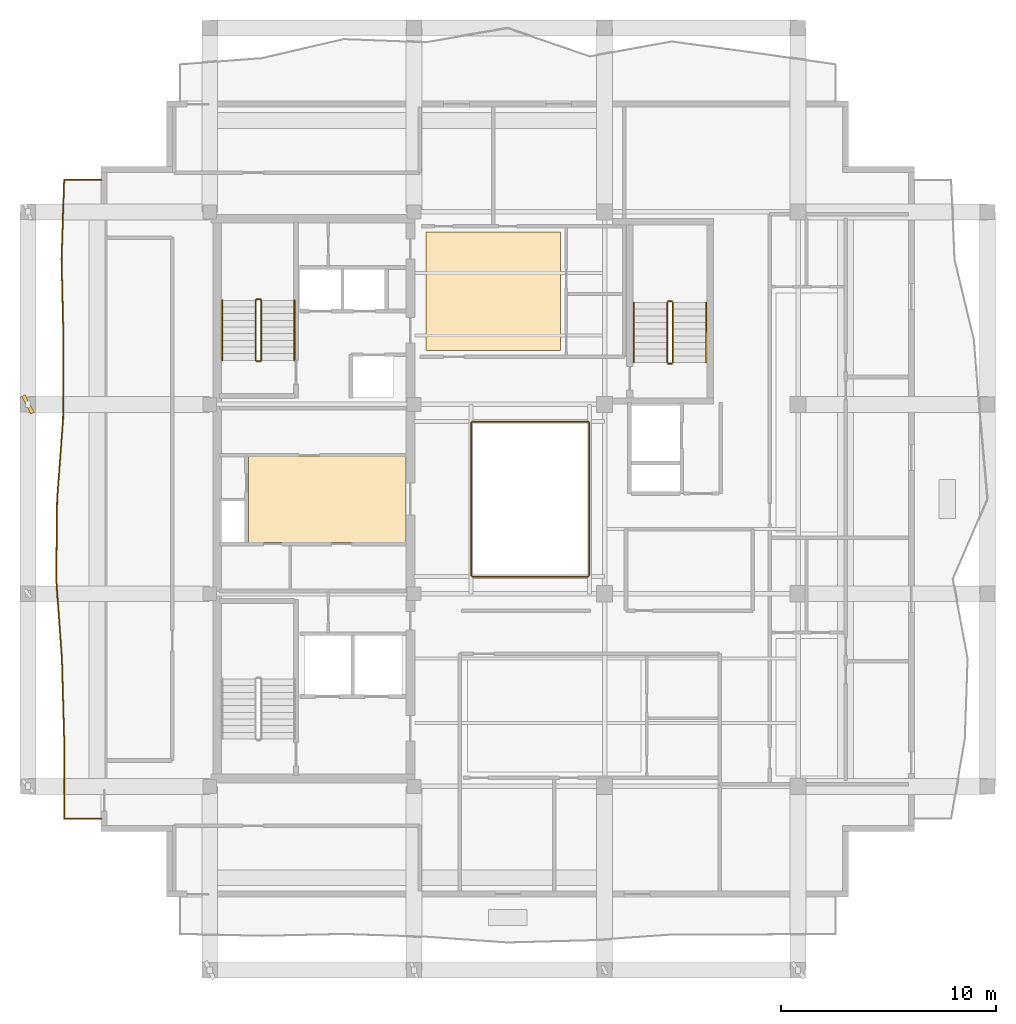
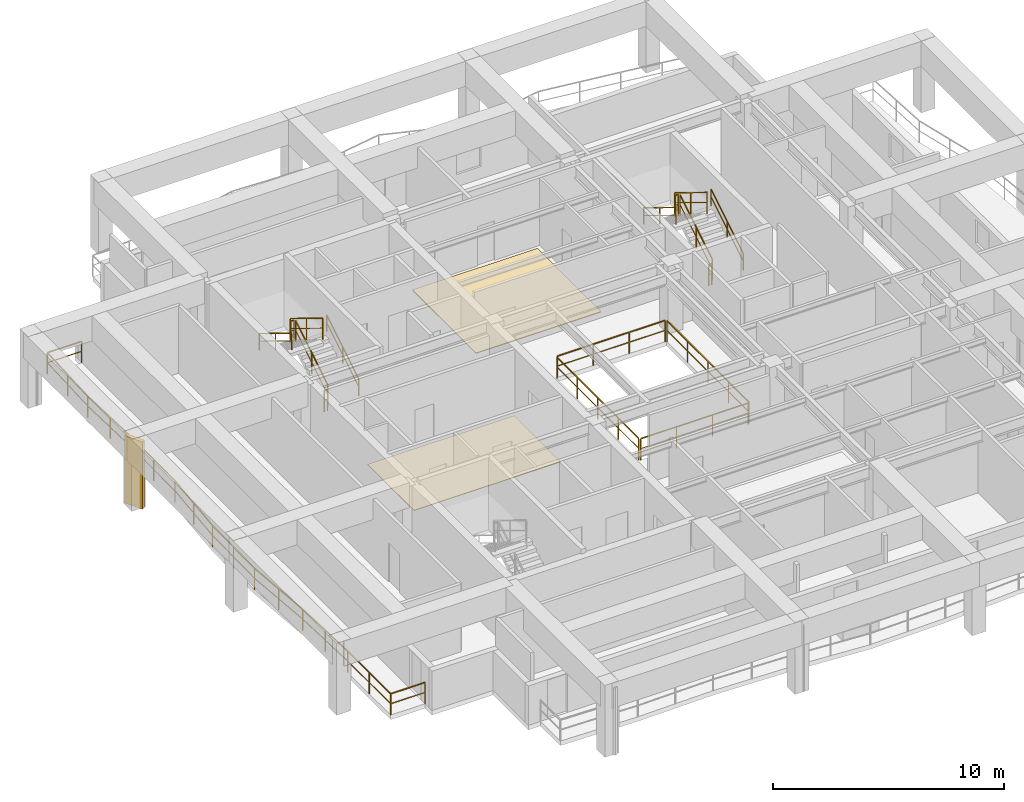
# One storey, part 8 of 10: 17 railings, 2 coverings, 1 shading device.
"""IFC4 building model written with IfcOpenShell, lengths in metres."""

from ifc_helpers import new_model, si_unit, direction, frame, origin, origin_2d, place, context, subcontext, project, spatial, polyline, rectangle, outline, extrude, material, layer, layer_set, type_object, element, save


model = new_model("IFC4")

# Units and contexts
model_context = context("Model", 3, precision=1e-05, world=origin(), true_north=direction((0.0, 1.0)))
body_context = subcontext(model_context, "Body", "Model", "MODEL_VIEW")
ifc_project = project(units=[si_unit("LENGTHUNIT", "METRE"), si_unit("AREAUNIT", "SQUARE_METRE"), si_unit("VOLUMEUNIT", "CUBIC_METRE"), si_unit("PLANEANGLEUNIT", "RADIAN"), si_unit("MASSUNIT", "GRAM", prefix="KILO")], contexts=[model_context])

# Site, building, storey
site_placement = place(None, origin())
site = spatial("IfcSite", under=ifc_project, at=site_placement, CompositionType="ELEMENT")
building_placement = place(site_placement, origin())
building = spatial("IfcBuilding", under=site, at=building_placement, Name="Kundavana Baori Tower", CompositionType="ELEMENT")
storey_placement = place(building_placement, frame((0.0, 0.0, 323.89990234375)))
storey = spatial("IfcBuildingStorey", under=building, at=storey_placement, Name="L80", CompositionType="ELEMENT", Elevation=323.89990234375)

# Coverings
ifc_material_1 = material(Name="Honed Kota Stone and Terrazzo Flooring", Category="masonry")
ifc_layer_1 = layer(ifc_material_1, 0.0400390625, Name="COV-FLR-TERR-40")
ifc_layer_set_1 = layer_set([ifc_layer_1], Name="Honed Kota Stone and Terrazzo Flooring")
covering_type_1 = type_object("IfcCoveringType", Name="COV-FLR-TERR-40", PredefinedType="FLOORING", material=ifc_layer_set_1)
covering_1_placement = place(storey_placement, origin())
element("IfcCovering", 1, at=covering_1_placement, inside=storey, type_object=covering_type_1, Name="L80 Room Finished Stone Flooring 2", PredefinedType="FLOORING", context=body_context, shape_type="SweptSolid", body=[
    extrude(outline(polyline([(25.5, 35.5), (31.75, 35.5), (31.75, 41.010009765625), (25.5, 41.010009765625), (25.5, 35.5)])), origin(), (0.0, 0.0, 1.0), 0.0400390625),
])
ifc_material_2 = material(Name="Honed Kota Stone and Terrazzo Flooring", Category="masonry")
ifc_layer_2 = layer(ifc_material_2, 0.030029296875, Name="COV-INT-FLR")
ifc_layer_set_2 = layer_set([ifc_layer_2], Name="Honed Kota Stone and Terrazzo Flooring")
covering_type_2 = type_object("IfcCoveringType", Name="COV-INT-FLR", PredefinedType="FLOORING", material=ifc_layer_set_2)
covering_2_placement = place(storey_placement, origin())
element("IfcCovering", 2, at=covering_2_placement, inside=storey, type_object=covering_type_2, Name="L80 Core Lift Lobby Kota Stone Flooring", PredefinedType="FLOORING", context=body_context, shape_type="SweptSolid", body=[
    extrude(outline(polyline([(17.25, 26.580078125), (24.580078125, 26.580078125), (24.580078125, 30.60009765625), (17.25, 30.60009765625), (17.25, 26.580078125)])), origin(), (0.0, 0.0, 1.0), 0.030029296875),
])

# Railings
ifc_material_3 = material(Name="Architectural Patinated Bronze Metalwork")
railing_type_1 = type_object("IfcRailingType", Name="RL-BAL-1150", PredefinedType="BALUSTRADE", material=ifc_material_3)
railing_1_placement = place(storey_placement, frame((10.39990234375, 13.75, 0.0)))
element("IfcRailing", 3, at=railing_1_placement, inside=storey, type_object=railing_type_1, Name="L80 Loggia Balcony Balustrade W", PredefinedType="BALUSTRADE", context=body_context, shape_type="SweptSolid", body=[
    extrude(rectangle(XDim=0.048095703125, YDim=0.048095703125, at=origin_2d()), frame((0.0, 0.0, 1.1259765625), z_axis=(-1.0, 0.0, 0.0), x_axis=(0.0, -1.0, 0.0)), (0.0, 0.0, 1.0), 1.719970703125),
    extrude(rectangle(XDim=0.03125, YDim=0.03125, at=origin_2d()), frame((0.0, 0.0, 0.597900390625), z_axis=(-1.0, 0.0, 0.0), x_axis=(0.0, -1.0, 0.0)), (0.0, 0.0, 1.0), 1.719970703125),
    extrude(rectangle(XDim=0.048095703125, YDim=0.048095703125, at=origin_2d()), frame((-1.719970703125, 0.0, 1.1259765625), z_axis=(-0.000263088652, 0.999999965392, 0.0), x_axis=(-0.999999965392, -0.000263088652, 0.0)), (0.0, 0.0, 1.0), 3.7119140625),
    extrude(rectangle(XDim=0.03125, YDim=0.03125, at=origin_2d()), frame((-1.719970703125, 0.0, 0.597900390625), z_axis=(-0.000263088652, 0.999999965392, 0.0), x_axis=(-0.999999965392, -0.000263088652, 0.0)), (0.0, 0.0, 1.0), 3.7119140625),
    extrude(rectangle(XDim=0.048095703125, YDim=0.048095703125, at=origin_2d()), frame((-1.720947265625, 3.7119140625, 1.1259765625), z_axis=(-0.027998750093, 0.999607958148, 0.0), x_axis=(-0.999607958148, -0.027998750093, 0.0)), (0.0, 0.0, 1.0), 3.714599609375),
    extrude(rectangle(XDim=0.03125, YDim=0.03125, at=origin_2d()), frame((-1.720947265625, 3.7119140625, 0.597900390625), z_axis=(-0.027998750093, 0.999607958148, 0.0), x_axis=(-0.999607958148, -0.027998750093, 0.0)), (0.0, 0.0, 1.0), 3.714599609375),
    extrude(rectangle(XDim=0.048095703125, YDim=0.048095703125, at=origin_2d()), frame((-1.824951171875, 7.425048828125, 1.1259765625), z_axis=(-0.070902118841, 0.997483277827, 0.0), x_axis=(-0.997483277827, -0.070902118841, 0.0)), (0.0, 0.0, 1.0), 3.72216796875),
    extrude(rectangle(XDim=0.03125, YDim=0.03125, at=origin_2d()), frame((-1.824951171875, 7.425048828125, 0.597900390625), z_axis=(-0.070902118841, 0.997483277827, 0.0), x_axis=(-0.997483277827, -0.070902118841, 0.0)), (0.0, 0.0, 1.0), 3.72216796875),
    extrude(rectangle(XDim=0.048095703125, YDim=0.048095703125, at=origin_2d()), frame((-2.0888671875, 11.137939453125, 1.1259765625), z_axis=(0.01104832267, 0.99993896542, 0.0), x_axis=(-0.99993896542, 0.01104832267, 0.0)), (0.0, 0.0, 1.0), 3.71240234375),
    extrude(rectangle(XDim=0.03125, YDim=0.03125, at=origin_2d()), frame((-2.0888671875, 11.137939453125, 0.597900390625), z_axis=(0.01104832267, 0.99993896542, 0.0), x_axis=(-0.99993896542, 0.01104832267, 0.0)), (0.0, 0.0, 1.0), 3.71240234375),
    extrude(rectangle(XDim=0.048095703125, YDim=0.048095703125, at=origin_2d()), frame((-2.0478515625, 14.85009765625, 1.1259765625), z_axis=(0.074379036367, 0.997230043144, 0.0), x_axis=(-0.997230043144, 0.074379036367, 0.0)), (0.0, 0.0, 1.0), 3.72216796875),
    extrude(rectangle(XDim=0.03125, YDim=0.03125, at=origin_2d()), frame((-2.0478515625, 14.85009765625, 0.597900390625), z_axis=(0.074379036367, 0.997230043144, 0.0), x_axis=(-0.997230043144, 0.074379036367, 0.0)), (0.0, 0.0, 1.0), 3.72216796875),
    extrude(rectangle(XDim=0.048095703125, YDim=0.048095703125, at=origin_2d()), frame((-1.77099609375, 18.56201171875, 1.1259765625), z_axis=(0.004865802471, 0.999988161913, 0.0), x_axis=(-0.999988161913, 0.004865802471, 0.0)), (0.0, 0.0, 1.0), 3.712890625),
    extrude(rectangle(XDim=0.03125, YDim=0.03125, at=origin_2d()), frame((-1.77099609375, 18.56201171875, 0.597900390625), z_axis=(0.004865802471, 0.999988161913, 0.0), x_axis=(-0.999988161913, 0.004865802471, 0.0)), (0.0, 0.0, 1.0), 3.712890625),
    extrude(rectangle(XDim=0.048095703125, YDim=0.048095703125, at=origin_2d()), frame((-1.7529296875, 22.27490234375, 1.1259765625), z_axis=(-0.023663567118, 0.99971997859, 0.0), x_axis=(-0.99971997859, -0.023663567118, 0.0)), (0.0, 0.0, 1.0), 3.714111328125),
    extrude(rectangle(XDim=0.03125, YDim=0.03125, at=origin_2d()), frame((-1.7529296875, 22.27490234375, 0.597900390625), z_axis=(-0.023663567118, 0.99971997859, 0.0), x_axis=(-0.99971997859, -0.023663567118, 0.0)), (0.0, 0.0, 1.0), 3.714111328125),
    extrude(rectangle(XDim=0.048095703125, YDim=0.048095703125, at=origin_2d()), frame((-1.8408203125, 25.988037109375, 1.1259765625), z_axis=(0.032539980606, 0.999470434611, 0.0), x_axis=(-0.999470434611, 0.032539980606, 0.0)), (0.0, 0.0, 1.0), 3.7138671875),
    extrude(rectangle(XDim=0.03125, YDim=0.03125, at=origin_2d()), frame((-1.8408203125, 25.988037109375, 0.597900390625), z_axis=(0.032539980606, 0.999470434611, 0.0), x_axis=(-0.999470434611, 0.032539980606, 0.0)), (0.0, 0.0, 1.0), 3.7138671875),
    extrude(rectangle(XDim=0.048095703125, YDim=0.048095703125, at=origin_2d()), frame((-1.719970703125, 29.699951171875, 1.1259765625), z_axis=(1.0, 0.0, 0.0), x_axis=(0.0, 1.0, 0.0)), (0.0, 0.0, 1.0), 1.719970703125),
    extrude(rectangle(XDim=0.03125, YDim=0.03125, at=origin_2d()), frame((-1.719970703125, 29.699951171875, 0.597900390625), z_axis=(1.0, 0.0, 0.0), x_axis=(0.0, 1.0, 0.0)), (0.0, 0.0, 1.0), 1.719970703125),
    extrude(rectangle(XDim=0.0419921875, YDim=0.0419921875, at=origin_2d()), origin(), (0.0, 0.0, 1.0), 1.101806640625),
    extrude(rectangle(XDim=0.0419921875, YDim=0.0419921875, at=origin_2d()), frame((-1.719970703125, 0.0, 0.0)), (0.0, 0.0, 1.0), 1.101806640625),
    extrude(rectangle(XDim=0.0419921875, YDim=0.0419921875, at=origin_2d()), frame((-1.720458984375, 1.85595703125, 0.0)), (0.0, 0.0, 1.0), 1.101806640625),
    extrude(rectangle(XDim=0.0419921875, YDim=0.0419921875, at=origin_2d()), frame((-1.720947265625, 3.7119140625, 0.0)), (0.0, 0.0, 1.0), 1.101806640625),
    extrude(rectangle(XDim=0.0419921875, YDim=0.0419921875, at=origin_2d()), frame((-1.77294921875, 5.568359375, 0.0)), (0.0, 0.0, 1.0), 1.101806640625),
    extrude(rectangle(XDim=0.0419921875, YDim=0.0419921875, at=origin_2d()), frame((-1.824951171875, 7.425048828125, 0.0)), (0.0, 0.0, 1.0), 1.101806640625),
    extrude(rectangle(XDim=0.0419921875, YDim=0.0419921875, at=origin_2d()), frame((-1.95703125, 9.281494140625, 0.0)), (0.0, 0.0, 1.0), 1.101806640625),
    extrude(rectangle(XDim=0.0419921875, YDim=0.0419921875, at=origin_2d()), frame((-2.0888671875, 11.137939453125, 0.0)), (0.0, 0.0, 1.0), 1.101806640625),
    extrude(rectangle(XDim=0.0419921875, YDim=0.0419921875, at=origin_2d()), frame((-2.068359375, 12.994140625, 0.0)), (0.0, 0.0, 1.0), 1.101806640625),
    extrude(rectangle(XDim=0.0419921875, YDim=0.0419921875, at=origin_2d()), frame((-2.0478515625, 14.85009765625, 0.0)), (0.0, 0.0, 1.0), 1.101806640625),
    extrude(rectangle(XDim=0.0419921875, YDim=0.0419921875, at=origin_2d()), frame((-1.909423828125, 16.7060546875, 0.0)), (0.0, 0.0, 1.0), 1.101806640625),
    extrude(rectangle(XDim=0.0419921875, YDim=0.0419921875, at=origin_2d()), frame((-1.77099609375, 18.56201171875, 0.0)), (0.0, 0.0, 1.0), 1.101806640625),
    extrude(rectangle(XDim=0.0419921875, YDim=0.0419921875, at=origin_2d()), frame((-1.761962890625, 20.41845703125, 0.0)), (0.0, 0.0, 1.0), 1.101806640625),
    extrude(rectangle(XDim=0.0419921875, YDim=0.0419921875, at=origin_2d()), frame((-1.7529296875, 22.27490234375, 0.0)), (0.0, 0.0, 1.0), 1.101806640625),
    extrude(rectangle(XDim=0.0419921875, YDim=0.0419921875, at=origin_2d()), frame((-1.796875, 24.13134765625, 0.0)), (0.0, 0.0, 1.0), 1.101806640625),
    extrude(rectangle(XDim=0.0419921875, YDim=0.0419921875, at=origin_2d()), frame((-1.8408203125, 25.988037109375, 0.0)), (0.0, 0.0, 1.0), 1.101806640625),
    extrude(rectangle(XDim=0.0419921875, YDim=0.0419921875, at=origin_2d()), frame((-1.7802734375, 27.843994140625, 0.0)), (0.0, 0.0, 1.0), 1.101806640625),
    extrude(rectangle(XDim=0.0419921875, YDim=0.0419921875, at=origin_2d()), frame((-1.719970703125, 29.699951171875, 0.0)), (0.0, 0.0, 1.0), 1.101806640625),
    extrude(rectangle(XDim=0.0419921875, YDim=0.0419921875, at=origin_2d()), frame((0.0, 29.699951171875, 0.0)), (0.0, 0.0, 1.0), 1.101806640625),
])
ifc_material_4 = material(Name="Architectural Patinated Bronze Metalwork")
railing_type_2 = type_object("IfcRailingType", Name="RL-GRD-1150", PredefinedType="GUARDRAIL", material=ifc_material_4)
railing_2_placement = place(storey_placement, frame((17.840087890625, 35.050048828125, 0.190185546875)))
element("IfcRailing", 4, at=railing_2_placement, inside=storey, type_object=railing_type_2, Name="L80 ST2 stair guard 1", PredefinedType="GUARDRAIL", context=body_context, shape_type="SweptSolid", body=[
    extrude(rectangle(XDim=0.048095703125, YDim=0.048095703125, at=origin_2d()), frame((0.0, 0.0, 1.1259765625), z_axis=(0.0, 0.852609830418, 0.522548061975), x_axis=(-1.0, 0.0, 0.0)), (0.0, 0.0, 1.0), 3.2724609375),
    extrude(rectangle(XDim=0.03125, YDim=0.03125, at=origin_2d()), frame((0.0, 0.0, 0.597900390625), z_axis=(0.0, 0.852609830418, 0.522548061975), x_axis=(-1.0, 0.0, 0.0)), (0.0, 0.0, 1.0), 3.2724609375),
    extrude(rectangle(XDim=0.0419921875, YDim=0.0419921875, at=origin_2d()), origin(), (0.0, 0.0, 1.0), 1.101806640625),
    extrude(rectangle(XDim=0.0419921875, YDim=0.0419921875, at=origin_2d()), frame((0.0, 1.39501953125, 0.85498046875)), (0.0, 0.0, 1.0), 1.101806640625),
    extrude(rectangle(XDim=0.0419921875, YDim=0.0419921875, at=origin_2d()), frame((0.0, 2.7900390625, 1.7099609375)), (0.0, 0.0, 1.0), 1.101806640625),
])
railing_3_placement = place(storey_placement, frame((17.7900390625, 37.889892578125, 1.900146484375)))
element("IfcRailing", 5, at=railing_3_placement, inside=storey, type_object=railing_type_2, Name="L80 ST2 stair guard 2", PredefinedType="GUARDRAIL", context=body_context, shape_type="SweptSolid", body=[
    extrude(rectangle(XDim=0.048095703125, YDim=0.048095703125, at=origin_2d()), frame((0.0, 0.0, 1.1259765625), z_axis=(-1.0, 0.0, 0.0), x_axis=(0.0, -1.0, 0.0)), (0.0, 0.0, 1.0), 0.16015625),
    extrude(rectangle(XDim=0.03125, YDim=0.03125, at=origin_2d()), frame((0.0, 0.0, 0.597900390625), z_axis=(-1.0, 0.0, 0.0), x_axis=(0.0, -1.0, 0.0)), (0.0, 0.0, 1.0), 0.16015625),
    extrude(rectangle(XDim=0.0419921875, YDim=0.0419921875, at=origin_2d()), origin(), (0.0, 0.0, 1.0), 1.101806640625),
    extrude(rectangle(XDim=0.0419921875, YDim=0.0419921875, at=origin_2d()), frame((-0.16015625, 0.0, 0.0)), (0.0, 0.0, 1.0), 1.101806640625),
])
railing_4_placement = place(storey_placement, frame((17.580078125, 37.840087890625, 2.090087890625)))
element("IfcRailing", 6, at=railing_4_placement, inside=storey, type_object=railing_type_2, Name="L80 ST2 stair guard 3", PredefinedType="GUARDRAIL", context=body_context, shape_type="SweptSolid", body=[
    extrude(rectangle(XDim=0.048095703125, YDim=0.048095703125, at=origin_2d()), frame((0.0, 0.0, 1.1259765625), z_axis=(0.0, -0.852609830418, 0.522548061975), x_axis=(1.0, 0.0, 0.0)), (0.0, 0.0, 1.0), 3.2724609375),
    extrude(rectangle(XDim=0.03125, YDim=0.03125, at=origin_2d()), frame((0.0, 0.0, 0.597900390625), z_axis=(0.0, -0.852609830418, 0.522548061975), x_axis=(1.0, 0.0, 0.0)), (0.0, 0.0, 1.0), 3.2724609375),
    extrude(rectangle(XDim=0.0419921875, YDim=0.0419921875, at=origin_2d()), origin(), (0.0, 0.0, 1.0), 1.101806640625),
    extrude(rectangle(XDim=0.0419921875, YDim=0.0419921875, at=origin_2d()), frame((0.0, -1.39501953125, 0.85498046875)), (0.0, 0.0, 1.0), 1.101806640625),
    extrude(rectangle(XDim=0.0419921875, YDim=0.0419921875, at=origin_2d()), frame((0.0, -2.7900390625, 1.7099609375)), (0.0, 0.0, 1.0), 1.101806640625),
])
railing_5_placement = place(storey_placement, frame((17.7900390625, 35.0, 0.0)))
element("IfcRailing", 7, at=railing_5_placement, inside=storey, type_object=railing_type_2, Name="L80 ST2 stair guard 4", PredefinedType="GUARDRAIL", context=body_context, shape_type="SweptSolid", body=[
    extrude(rectangle(XDim=0.048095703125, YDim=0.048095703125, at=origin_2d()), frame((0.0, 0.0, 1.1259765625), z_axis=(-1.0, 0.0, 0.0), x_axis=(0.0, -1.0, 0.0)), (0.0, 0.0, 1.0), 0.16015625),
    extrude(rectangle(XDim=0.03125, YDim=0.03125, at=origin_2d()), frame((0.0, 0.0, 0.597900390625), z_axis=(-1.0, 0.0, 0.0), x_axis=(0.0, -1.0, 0.0)), (0.0, 0.0, 1.0), 0.16015625),
    extrude(rectangle(XDim=0.0419921875, YDim=0.0419921875, at=origin_2d()), origin(), (0.0, 0.0, 1.0), 1.101806640625),
    extrude(rectangle(XDim=0.0419921875, YDim=0.0419921875, at=origin_2d()), frame((-0.16015625, 0.0, 0.0)), (0.0, 0.0, 1.0), 1.101806640625),
])
railing_6_placement = place(storey_placement, frame((36.97998046875, 34.949951171875, 0.190185546875)))
element("IfcRailing", 8, at=railing_6_placement, inside=storey, type_object=railing_type_2, Name="L80 ST3 stair guard 1", PredefinedType="GUARDRAIL", context=body_context, shape_type="SweptSolid", body=[
    extrude(rectangle(XDim=0.048095703125, YDim=0.048095703125, at=origin_2d()), frame((0.0, 0.0, 1.1259765625), z_axis=(0.0, 0.852609830418, 0.522548061975), x_axis=(-1.0, 0.0, 0.0)), (0.0, 0.0, 1.0), 3.2724609375),
    extrude(rectangle(XDim=0.03125, YDim=0.03125, at=origin_2d()), frame((0.0, 0.0, 0.597900390625), z_axis=(0.0, 0.852609830418, 0.522548061975), x_axis=(-1.0, 0.0, 0.0)), (0.0, 0.0, 1.0), 3.2724609375),
    extrude(rectangle(XDim=0.0419921875, YDim=0.0419921875, at=origin_2d()), origin(), (0.0, 0.0, 1.0), 1.101806640625),
    extrude(rectangle(XDim=0.0419921875, YDim=0.0419921875, at=origin_2d()), frame((0.0, 1.39501953125, 0.85498046875)), (0.0, 0.0, 1.0), 1.101806640625),
    extrude(rectangle(XDim=0.0419921875, YDim=0.0419921875, at=origin_2d()), frame((0.0, 2.7900390625, 1.7099609375)), (0.0, 0.0, 1.0), 1.101806640625),
])
railing_7_placement = place(storey_placement, frame((36.929931640625, 37.7900390625, 1.900146484375)))
element("IfcRailing", 9, at=railing_7_placement, inside=storey, type_object=railing_type_2, Name="L80 ST3 stair guard 2", PredefinedType="GUARDRAIL", context=body_context, shape_type="SweptSolid", body=[
    extrude(rectangle(XDim=0.048095703125, YDim=0.048095703125, at=origin_2d()), frame((0.0, 0.0, 1.1259765625), z_axis=(-1.0, 0.0, 0.0), x_axis=(0.0, -1.0, 0.0)), (0.0, 0.0, 1.0), 0.159912109375),
    extrude(rectangle(XDim=0.03125, YDim=0.03125, at=origin_2d()), frame((0.0, 0.0, 0.597900390625), z_axis=(-1.0, 0.0, 0.0), x_axis=(0.0, -1.0, 0.0)), (0.0, 0.0, 1.0), 0.159912109375),
    extrude(rectangle(XDim=0.0419921875, YDim=0.0419921875, at=origin_2d()), origin(), (0.0, 0.0, 1.0), 1.101806640625),
    extrude(rectangle(XDim=0.0419921875, YDim=0.0419921875, at=origin_2d()), frame((-0.159912109375, 0.0, 0.0)), (0.0, 0.0, 1.0), 1.101806640625),
])
railing_8_placement = place(storey_placement, frame((36.719970703125, 37.739990234375, 2.090087890625)))
element("IfcRailing", 10, at=railing_8_placement, inside=storey, type_object=railing_type_2, Name="L80 ST3 stair guard 3", PredefinedType="GUARDRAIL", context=body_context, shape_type="SweptSolid", body=[
    extrude(rectangle(XDim=0.048095703125, YDim=0.048095703125, at=origin_2d()), frame((0.0, 0.0, 1.1259765625), z_axis=(0.0, -0.852609830418, 0.522548061975), x_axis=(1.0, 0.0, 0.0)), (0.0, 0.0, 1.0), 3.2724609375),
    extrude(rectangle(XDim=0.03125, YDim=0.03125, at=origin_2d()), frame((0.0, 0.0, 0.597900390625), z_axis=(0.0, -0.852609830418, 0.522548061975), x_axis=(1.0, 0.0, 0.0)), (0.0, 0.0, 1.0), 3.2724609375),
    extrude(rectangle(XDim=0.0419921875, YDim=0.0419921875, at=origin_2d()), origin(), (0.0, 0.0, 1.0), 1.101806640625),
    extrude(rectangle(XDim=0.0419921875, YDim=0.0419921875, at=origin_2d()), frame((0.0, -1.39501953125, 0.85498046875)), (0.0, 0.0, 1.0), 1.101806640625),
    extrude(rectangle(XDim=0.0419921875, YDim=0.0419921875, at=origin_2d()), frame((0.0, -2.7900390625, 1.7099609375)), (0.0, 0.0, 1.0), 1.101806640625),
])
railing_9_placement = place(storey_placement, frame((36.929931640625, 34.89990234375, 0.0)))
element("IfcRailing", 11, at=railing_9_placement, inside=storey, type_object=railing_type_2, Name="L80 ST3 stair guard 4", PredefinedType="GUARDRAIL", context=body_context, shape_type="SweptSolid", body=[
    extrude(rectangle(XDim=0.048095703125, YDim=0.048095703125, at=origin_2d()), frame((0.0, 0.0, 1.1259765625), z_axis=(-1.0, 0.0, 0.0), x_axis=(0.0, -1.0, 0.0)), (0.0, 0.0, 1.0), 0.159912109375),
    extrude(rectangle(XDim=0.03125, YDim=0.03125, at=origin_2d()), frame((0.0, 0.0, 0.597900390625), z_axis=(-1.0, 0.0, 0.0), x_axis=(0.0, -1.0, 0.0)), (0.0, 0.0, 1.0), 0.159912109375),
    extrude(rectangle(XDim=0.0419921875, YDim=0.0419921875, at=origin_2d()), origin(), (0.0, 0.0, 1.0), 1.101806640625),
    extrude(rectangle(XDim=0.0419921875, YDim=0.0419921875, at=origin_2d()), frame((-0.159912109375, 0.0, 0.0)), (0.0, 0.0, 1.0), 1.101806640625),
])
railing_10_placement = place(storey_placement, frame((27.659912109375, 25.0, 0.0)))
element("IfcRailing", 12, at=railing_10_placement, inside=storey, type_object=railing_type_2, Name="L80 Atrium Void Perimeter Guardrail S", PredefinedType="GUARDRAIL", context=body_context, shape_type="SweptSolid", body=[
    extrude(rectangle(XDim=0.048095703125, YDim=0.048095703125, at=origin_2d()), frame((0.0, 0.0, 1.1259765625), z_axis=(1.0, 0.0, 0.0), x_axis=(0.0, 1.0, 0.0)), (0.0, 0.0, 1.0), 5.380126953125),
    extrude(rectangle(XDim=0.03125, YDim=0.03125, at=origin_2d()), frame((0.0, 0.0, 0.597900390625), z_axis=(1.0, 0.0, 0.0), x_axis=(0.0, 1.0, 0.0)), (0.0, 0.0, 1.0), 5.380126953125),
    extrude(rectangle(XDim=0.0419921875, YDim=0.0419921875, at=origin_2d()), origin(), (0.0, 0.0, 1.0), 1.101806640625),
    extrude(rectangle(XDim=0.0419921875, YDim=0.0419921875, at=origin_2d()), frame((1.79345703125, 0.0, 0.0)), (0.0, 0.0, 1.0), 1.101806640625),
    extrude(rectangle(XDim=0.0419921875, YDim=0.0419921875, at=origin_2d()), frame((3.586669921875, 0.0, 0.0)), (0.0, 0.0, 1.0), 1.101806640625),
    extrude(rectangle(XDim=0.0419921875, YDim=0.0419921875, at=origin_2d()), frame((5.380126953125, 0.0, 0.0)), (0.0, 0.0, 1.0), 1.101806640625),
])
railing_11_placement = place(storey_placement, frame((33.10009765625, 25.06005859375, 0.0)))
element("IfcRailing", 13, at=railing_11_placement, inside=storey, type_object=railing_type_2, Name="L80 Atrium Void Perimeter Guardrail E", PredefinedType="GUARDRAIL", context=body_context, shape_type="SweptSolid", body=[
    extrude(rectangle(XDim=0.048095703125, YDim=0.048095703125, at=origin_2d()), frame((0.0, 0.0, 1.1259765625), z_axis=(0.0, 1.0, 0.0), x_axis=(-1.0, 0.0, 0.0)), (0.0, 0.0, 1.0), 7.079833984375),
    extrude(rectangle(XDim=0.03125, YDim=0.03125, at=origin_2d()), frame((0.0, 0.0, 0.597900390625), z_axis=(0.0, 1.0, 0.0), x_axis=(-1.0, 0.0, 0.0)), (0.0, 0.0, 1.0), 7.079833984375),
    extrude(rectangle(XDim=0.0419921875, YDim=0.0419921875, at=origin_2d()), origin(), (0.0, 0.0, 1.0), 1.101806640625),
    extrude(rectangle(XDim=0.0419921875, YDim=0.0419921875, at=origin_2d()), frame((0.0, 1.77001953125, 0.0)), (0.0, 0.0, 1.0), 1.101806640625),
    extrude(rectangle(XDim=0.0419921875, YDim=0.0419921875, at=origin_2d()), frame((0.0, 3.5400390625, 0.0)), (0.0, 0.0, 1.0), 1.101806640625),
    extrude(rectangle(XDim=0.0419921875, YDim=0.0419921875, at=origin_2d()), frame((0.0, 5.309814453125, 0.0)), (0.0, 0.0, 1.0), 1.101806640625),
    extrude(rectangle(XDim=0.0419921875, YDim=0.0419921875, at=origin_2d()), frame((0.0, 7.079833984375, 0.0)), (0.0, 0.0, 1.0), 1.101806640625),
])
railing_12_placement = place(storey_placement, frame((33.0400390625, 32.199951171875, 0.0)))
element("IfcRailing", 14, at=railing_12_placement, inside=storey, type_object=railing_type_2, Name="L80 Atrium Void Perimeter Guardrail N", PredefinedType="GUARDRAIL", context=body_context, shape_type="SweptSolid", body=[
    extrude(rectangle(XDim=0.048095703125, YDim=0.048095703125, at=origin_2d()), frame((0.0, 0.0, 1.1259765625), z_axis=(-1.0, 0.0, 0.0), x_axis=(0.0, -1.0, 0.0)), (0.0, 0.0, 1.0), 5.380126953125),
    extrude(rectangle(XDim=0.03125, YDim=0.03125, at=origin_2d()), frame((0.0, 0.0, 0.597900390625), z_axis=(-1.0, 0.0, 0.0), x_axis=(0.0, -1.0, 0.0)), (0.0, 0.0, 1.0), 5.380126953125),
    extrude(rectangle(XDim=0.0419921875, YDim=0.0419921875, at=origin_2d()), origin(), (0.0, 0.0, 1.0), 1.101806640625),
    extrude(rectangle(XDim=0.0419921875, YDim=0.0419921875, at=origin_2d()), frame((-1.79345703125, 0.0, 0.0)), (0.0, 0.0, 1.0), 1.101806640625),
    extrude(rectangle(XDim=0.0419921875, YDim=0.0419921875, at=origin_2d()), frame((-3.586669921875, 0.0, 0.0)), (0.0, 0.0, 1.0), 1.101806640625),
    extrude(rectangle(XDim=0.0419921875, YDim=0.0419921875, at=origin_2d()), frame((-5.380126953125, 0.0, 0.0)), (0.0, 0.0, 1.0), 1.101806640625),
])
railing_13_placement = place(storey_placement, frame((27.60009765625, 32.139892578125, 0.0)))
element("IfcRailing", 15, at=railing_13_placement, inside=storey, type_object=railing_type_2, Name="L80 Atrium Void Perimeter Guardrail W", PredefinedType="GUARDRAIL", context=body_context, shape_type="SweptSolid", body=[
    extrude(rectangle(XDim=0.048095703125, YDim=0.048095703125, at=origin_2d()), frame((0.0, 0.0, 1.1259765625), z_axis=(0.0, -1.0, 0.0), x_axis=(1.0, 0.0, 0.0)), (0.0, 0.0, 1.0), 7.079833984375),
    extrude(rectangle(XDim=0.03125, YDim=0.03125, at=origin_2d()), frame((0.0, 0.0, 0.597900390625), z_axis=(0.0, -1.0, 0.0), x_axis=(1.0, 0.0, 0.0)), (0.0, 0.0, 1.0), 7.079833984375),
    extrude(rectangle(XDim=0.0419921875, YDim=0.0419921875, at=origin_2d()), origin(), (0.0, 0.0, 1.0), 1.101806640625),
    extrude(rectangle(XDim=0.0419921875, YDim=0.0419921875, at=origin_2d()), frame((0.0, -1.77001953125, 0.0)), (0.0, 0.0, 1.0), 1.101806640625),
    extrude(rectangle(XDim=0.0419921875, YDim=0.0419921875, at=origin_2d()), frame((0.0, -3.5400390625, 0.0)), (0.0, 0.0, 1.0), 1.101806640625),
    extrude(rectangle(XDim=0.0419921875, YDim=0.0419921875, at=origin_2d()), frame((0.0, -5.309814453125, 0.0)), (0.0, 0.0, 1.0), 1.101806640625),
    extrude(rectangle(XDim=0.0419921875, YDim=0.0419921875, at=origin_2d()), frame((0.0, -7.079833984375, 0.0)), (0.0, 0.0, 1.0), 1.101806640625),
])
ifc_material_5 = material(Name="Architectural Patinated Bronze Metalwork")
railing_type_3 = type_object("IfcRailingType", Name="RL-HND-920", PredefinedType="HANDRAIL", material=ifc_material_5)
railing_14_placement = place(storey_placement, frame((19.389892578125, 35.050048828125, 0.190185546875)))
element("IfcRailing", 16, at=railing_14_placement, inside=storey, type_object=railing_type_3, Name="L80 ST2 stair handrail 1", PredefinedType="HANDRAIL", context=body_context, shape_type="SweptSolid", body=[
    extrude(rectangle(XDim=0.048095703125, YDim=0.048095703125, at=origin_2d()), frame((0.0, 0.0, 0.8759765625), z_axis=(0.0, 0.852609830418, 0.522548061975), x_axis=(-1.0, 0.0, 0.0)), (0.0, 0.0, 1.0), 3.2724609375),
    extrude(rectangle(XDim=0.03125, YDim=0.03125, at=origin_2d()), frame((0.0, 0.0, 0.468017578125), z_axis=(0.0, 0.852609830418, 0.522548061975), x_axis=(-1.0, 0.0, 0.0)), (0.0, 0.0, 1.0), 3.2724609375),
    extrude(rectangle(XDim=0.0419921875, YDim=0.0419921875, at=origin_2d()), origin(), (0.0, 0.0, 1.0), 0.851806640625),
    extrude(rectangle(XDim=0.0419921875, YDim=0.0419921875, at=origin_2d()), frame((0.0, 1.39501953125, 0.85498046875)), (0.0, 0.0, 1.0), 0.851806640625),
    extrude(rectangle(XDim=0.0419921875, YDim=0.0419921875, at=origin_2d()), frame((0.0, 2.7900390625, 1.7099609375)), (0.0, 0.0, 1.0), 0.851806640625),
])
railing_15_placement = place(storey_placement, frame((16.030029296875, 37.840087890625, 2.090087890625)))
element("IfcRailing", 17, at=railing_15_placement, inside=storey, type_object=railing_type_3, Name="L80 ST2 stair handrail 2", PredefinedType="HANDRAIL", context=body_context, shape_type="SweptSolid", body=[
    extrude(rectangle(XDim=0.048095703125, YDim=0.048095703125, at=origin_2d()), frame((0.0, 0.0, 0.8759765625), z_axis=(0.0, -0.852609830418, 0.522548061975), x_axis=(1.0, 0.0, 0.0)), (0.0, 0.0, 1.0), 3.2724609375),
    extrude(rectangle(XDim=0.03125, YDim=0.03125, at=origin_2d()), frame((0.0, 0.0, 0.468017578125), z_axis=(0.0, -0.852609830418, 0.522548061975), x_axis=(1.0, 0.0, 0.0)), (0.0, 0.0, 1.0), 3.2724609375),
    extrude(rectangle(XDim=0.0419921875, YDim=0.0419921875, at=origin_2d()), origin(), (0.0, 0.0, 1.0), 0.851806640625),
    extrude(rectangle(XDim=0.0419921875, YDim=0.0419921875, at=origin_2d()), frame((0.0, -1.39501953125, 0.85498046875)), (0.0, 0.0, 1.0), 0.851806640625),
    extrude(rectangle(XDim=0.0419921875, YDim=0.0419921875, at=origin_2d()), frame((0.0, -2.7900390625, 1.7099609375)), (0.0, 0.0, 1.0), 0.851806640625),
])
railing_16_placement = place(storey_placement, frame((38.530029296875, 34.949951171875, 0.190185546875)))
element("IfcRailing", 18, at=railing_16_placement, inside=storey, type_object=railing_type_3, Name="L80 ST3 stair handrail 1", PredefinedType="HANDRAIL", context=body_context, shape_type="SweptSolid", body=[
    extrude(rectangle(XDim=0.048095703125, YDim=0.048095703125, at=origin_2d()), frame((0.0, 0.0, 0.8759765625), z_axis=(0.0, 0.852609830418, 0.522548061975), x_axis=(-1.0, 0.0, 0.0)), (0.0, 0.0, 1.0), 3.2724609375),
    extrude(rectangle(XDim=0.03125, YDim=0.03125, at=origin_2d()), frame((0.0, 0.0, 0.468017578125), z_axis=(0.0, 0.852609830418, 0.522548061975), x_axis=(-1.0, 0.0, 0.0)), (0.0, 0.0, 1.0), 3.2724609375),
    extrude(rectangle(XDim=0.0419921875, YDim=0.0419921875, at=origin_2d()), origin(), (0.0, 0.0, 1.0), 0.851806640625),
    extrude(rectangle(XDim=0.0419921875, YDim=0.0419921875, at=origin_2d()), frame((0.0, 1.39501953125, 0.85498046875)), (0.0, 0.0, 1.0), 0.851806640625),
    extrude(rectangle(XDim=0.0419921875, YDim=0.0419921875, at=origin_2d()), frame((0.0, 2.7900390625, 1.7099609375)), (0.0, 0.0, 1.0), 0.851806640625),
])
railing_17_placement = place(storey_placement, frame((35.169921875, 37.739990234375, 2.090087890625)))
element("IfcRailing", 19, at=railing_17_placement, inside=storey, type_object=railing_type_3, Name="L80 ST3 stair handrail 2", PredefinedType="HANDRAIL", context=body_context, shape_type="SweptSolid", body=[
    extrude(rectangle(XDim=0.048095703125, YDim=0.048095703125, at=origin_2d()), frame((0.0, 0.0, 0.8759765625), z_axis=(0.0, -0.852609830418, 0.522548061975), x_axis=(1.0, 0.0, 0.0)), (0.0, 0.0, 1.0), 3.2724609375),
    extrude(rectangle(XDim=0.03125, YDim=0.03125, at=origin_2d()), frame((0.0, 0.0, 0.468017578125), z_axis=(0.0, -0.852609830418, 0.522548061975), x_axis=(1.0, 0.0, 0.0)), (0.0, 0.0, 1.0), 3.2724609375),
    extrude(rectangle(XDim=0.0419921875, YDim=0.0419921875, at=origin_2d()), origin(), (0.0, 0.0, 1.0), 0.851806640625),
    extrude(rectangle(XDim=0.0419921875, YDim=0.0419921875, at=origin_2d()), frame((0.0, -1.39501953125, 0.85498046875)), (0.0, 0.0, 1.0), 0.851806640625),
    extrude(rectangle(XDim=0.0419921875, YDim=0.0419921875, at=origin_2d()), frame((0.0, -2.7900390625, 1.7099609375)), (0.0, 0.0, 1.0), 0.851806640625),
])

# Shading device
ifc_material_6 = material(Name="Red-Buff Dholpur Sandstone Cladding on Concrete C40/50", Category="masonry")
shading_device_type = type_object("IfcShadingDeviceType", Name="SHD-FIN-920", PredefinedType="JALOUSIE", material=ifc_material_6)
shading_device_placement = place(storey_placement, frame((7.0, 33.0, 0.0), z_axis=(0.0, 0.0, 1.0), x_axis=(0.885231311332, 0.465151078077, 0.0)))
element("IfcShadingDevice", 20, at=shading_device_placement, inside=storey, type_object=shading_device_type, Name="L80 Sweeping Dholpur Sandstone Facade Fin 7", PredefinedType="JALOUSIE", context=body_context, shape_type="SweptSolid", body=[
    extrude(rectangle(XDim=0.179931640625, YDim=0.919921875, at=origin_2d()), origin(), (0.0, 0.0, 1.0), 3.56005859375),
])

save(model, "model.ifc")
